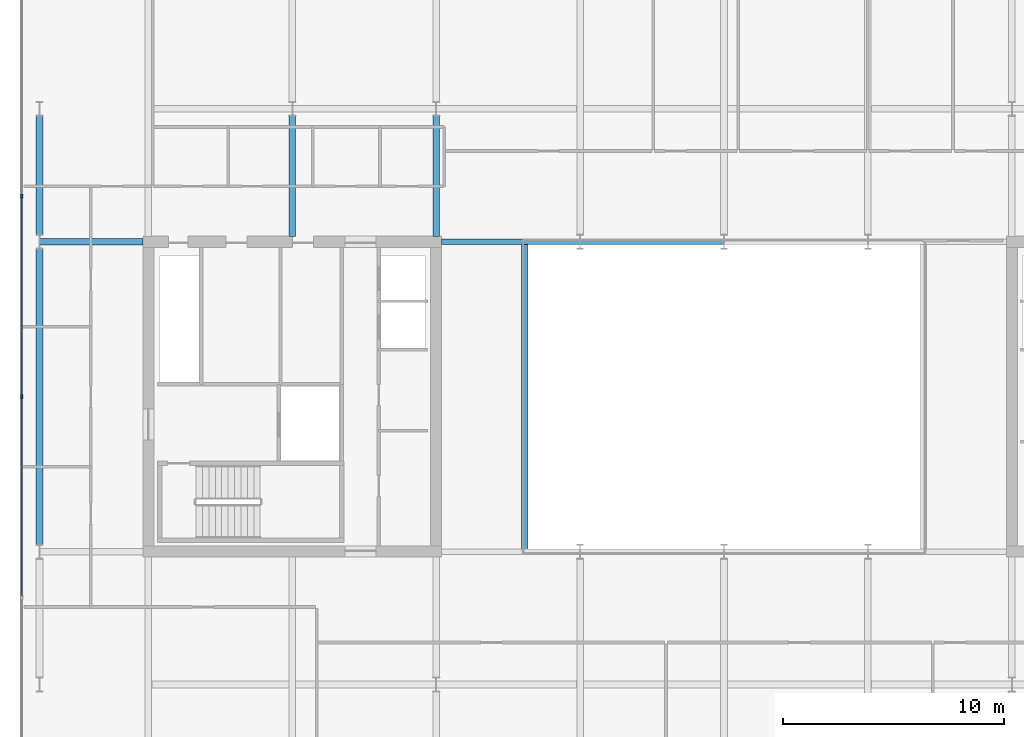
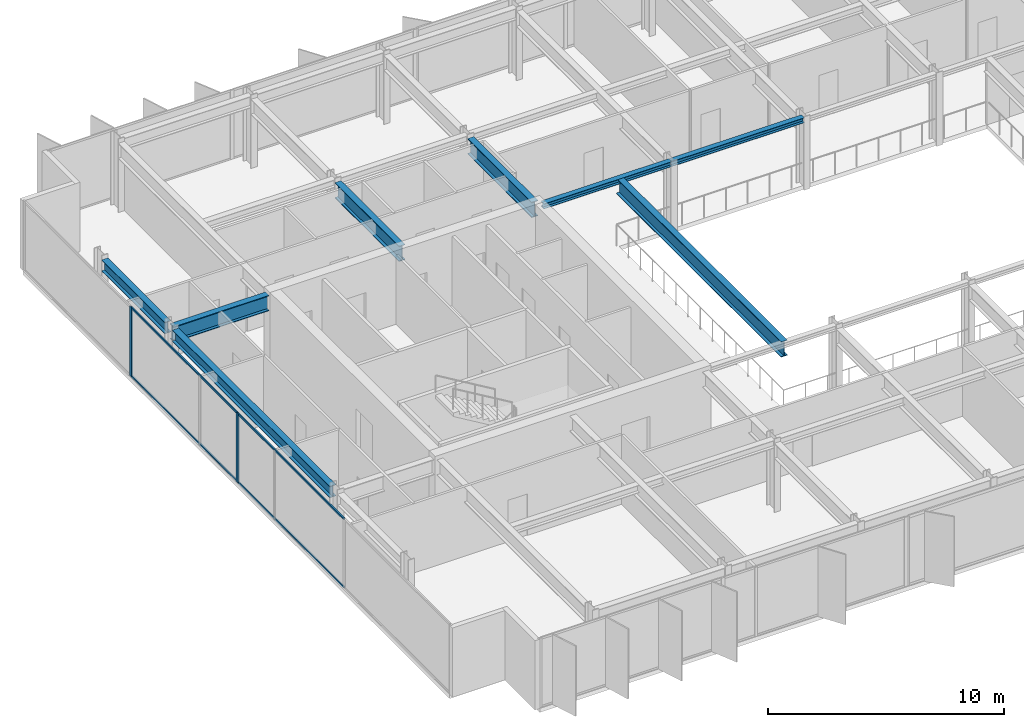
# One storey, part 5 of 19: 8 beams, 6 members, 1 element without a shape of its own.
"""IFC4 building model written with IfcOpenShell, lengths in metres."""

from ifc_helpers import new_model, si_unit, direction, frame, origin, origin_2d, place, context, subcontext, project, spatial, rectangle, i_section, extrude, material, layer, layer_set, material_profile, profile_set, type_object, element, aggregate, save


model = new_model("IFC4")

# Units and contexts
model_context = context("Model", 3, precision=1e-05, world=origin(), true_north=direction((0.0, 1.0)))
body_context = subcontext(model_context, "Body", "Model", "MODEL_VIEW")
ifc_project = project(units=[si_unit("LENGTHUNIT", "METRE"), si_unit("AREAUNIT", "SQUARE_METRE"), si_unit("VOLUMEUNIT", "CUBIC_METRE"), si_unit("PLANEANGLEUNIT", "RADIAN"), si_unit("MASSUNIT", "GRAM", prefix="KILO")], contexts=[model_context])

# Site, building, storey
site_placement = place(None, origin())
site = spatial("IfcSite", under=ifc_project, at=site_placement, CompositionType="ELEMENT")
building_placement = place(site_placement, origin())
building = spatial("IfcBuilding", under=site, at=building_placement, Name="Putna Gate Headquarters", CompositionType="ELEMENT")
storey_placement = place(building_placement, frame((0.0, 0.0, 259.39990234375)))
storey = spatial("IfcBuildingStorey", under=building, at=storey_placement, Name="L65", CompositionType="ELEMENT", Elevation=259.39990234375)

# Beams
ifc_material_1 = material(Name="Steel S355J2", Category="steel")
ifc_material_profile_1 = material_profile(ifc_material_1, i_section(OverallWidth=0.260009765625, OverallDepth=0.260009765625, WebThickness=0.010009765625, FlangeThickness=0.017578125, at=origin_2d()), Name="Steel S355J2")
ifc_profile_set_1 = profile_set([ifc_material_profile_1], Name="Steel S355J2")
beam_type_1 = type_object("IfcBeamType", Name="BM-ATRIUM-HEB260", PredefinedType="BEAM", material=ifc_profile_set_1)
beam_1_placement = place(storey_placement, frame((26.235107421875, 33.0, 3.4580078125), z_axis=(1.0, 0.0, 0.0), x_axis=(0.0, 1.0, 0.0)))
element("IfcBeam", 1, at=beam_1_placement, inside=storey, type_object=beam_type_1, Name="L65 Atrium Edge Beam AN1", PredefinedType="BEAM", context=body_context, shape_type="SweptSolid", body=[
    extrude(i_section(OverallWidth=0.260009765625, OverallDepth=0.260009765625, WebThickness=0.010009765625, FlangeThickness=0.017578125, at=origin_2d()), origin(), (0.0, 0.0, 1.0), 6.2587890625),
])
beam_2_placement = place(storey_placement, frame((32.506103515625, 33.0, 3.4580078125), z_axis=(1.0, 0.0, 0.0), x_axis=(0.0, 1.0, 0.0)))
element("IfcBeam", 2, at=beam_2_placement, inside=storey, type_object=beam_type_1, Name="L65 Atrium Edge Beam AN2", PredefinedType="BEAM", context=body_context, shape_type="SweptSolid", body=[
    extrude(i_section(OverallWidth=0.260009765625, OverallDepth=0.260009765625, WebThickness=0.010009765625, FlangeThickness=0.017578125, at=origin_2d()), origin(), (0.0, 0.0, 1.0), 6.48779296875),
])
ifc_material_profile_2 = material_profile(ifc_material_1, i_section(OverallWidth=0.300048828125, OverallDepth=0.800048828125, WebThickness=0.017578125, FlangeThickness=0.032958984375, at=origin_2d()), Name="Steel S355J2")
ifc_profile_set_2 = profile_set([ifc_material_profile_2], Name="Steel S355J2")
beam_type_2 = type_object("IfcBeamType", Name="BM-GIRD-P-HEB800", PredefinedType="USERDEFINED", material=ifc_profile_set_2)
beam_3_placement = place(storey_placement, frame((8.0859375, 33.0, 3.18798828125), z_axis=(1.0, 0.0, 0.0), x_axis=(0.0, 1.0, 0.0)))
element("IfcBeam", 3, at=beam_3_placement, inside=storey, type_object=beam_type_2, Name="L65 West Wing Girder Y33", ObjectType="GIRDER", PredefinedType="USERDEFINED", context=body_context, shape_type="SweptSolid", body=[
    extrude(i_section(OverallWidth=0.300048828125, OverallDepth=0.800048828125, WebThickness=0.017578125, FlangeThickness=0.032958984375, at=origin_2d()), origin(), (0.0, 0.0, 1.0), 4.678955078125),
])
for number, where, z_axis, x_axis, name in (
    (4, (19.5, 33.235107421875, 3.18798828125), (0.0, 1.0, 0.0), (-1.0, 0.0, 0.0), "L65 North Primary Girder X19-1"),
    (5, (26.0, 33.235107421875, 3.18798828125), (0.0, 1.0, 0.0), (-1.0, 0.0, 0.0), "L65 North Primary Girder X26-1"),
):
    element("IfcBeam", number, at=place(storey_placement, frame(where, z_axis=z_axis, x_axis=x_axis)), inside=storey, type_object=beam_type_2, Name=name, ObjectType="GIRDER", PredefinedType="USERDEFINED", context=body_context, shape_type="SweptSolid", body=[
        extrude(i_section(OverallWidth=0.300048828125, OverallDepth=0.800048828125, WebThickness=0.017578125, FlangeThickness=0.032958984375, at=origin_2d()), origin(), (0.0, 0.0, 1.0), 5.44287109375),
    ])
beam_4_placement = place(storey_placement, frame((30.0, 19.010009765625, 3.18798828125), z_axis=(0.0, 1.0, 0.0), x_axis=(-1.0, 0.0, 0.0)))
element("IfcBeam", 6, at=beam_4_placement, inside=storey, type_object=beam_type_2, Name="L65 Atrium Trim Girder AW", ObjectType="GIRDER", PredefinedType="USERDEFINED", context=body_context, shape_type="SweptSolid", body=[
    extrude(i_section(OverallWidth=0.300048828125, OverallDepth=0.800048828125, WebThickness=0.017578125, FlangeThickness=0.032958984375, at=origin_2d()), origin(), (0.0, 0.0, 1.0), 13.97998046875),
])
ifc_material_profile_3 = material_profile(ifc_material_1, i_section(OverallWidth=0.300048828125, OverallDepth=0.590087890625, WebThickness=0.012939453125, FlangeThickness=0.02490234375, at=origin_2d()), Name="Steel S355J2")
ifc_profile_set_3 = profile_set([ifc_material_profile_3], Name="Steel S355J2")
beam_type_3 = type_object("IfcBeamType", Name="BM-SPAN-Z4-HEA600", PredefinedType="SPANDREL", material=ifc_profile_set_3)
beam_5_placement = place(storey_placement, frame((8.080078125, 19.322021484375, 3.293212890625), z_axis=(0.0, 1.0, 0.0), x_axis=(-1.0, 0.0, 0.0)))
element("IfcBeam", 7, at=beam_5_placement, inside=storey, type_object=beam_type_3, Name="L65 W End Spandrel 2", PredefinedType="SPANDREL", context=body_context, shape_type="SweptSolid", body=[
    extrude(i_section(OverallWidth=0.300048828125, OverallDepth=0.590087890625, WebThickness=0.012939453125, FlangeThickness=0.02490234375, at=origin_2d()), origin(), (0.0, 0.0, 1.0), 13.35595703125),
])
beam_6_placement = place(storey_placement, frame((8.080078125, 33.322021484375, 3.293212890625), z_axis=(0.0, 1.0, 0.0), x_axis=(-1.0, 0.0, 0.0)))
element("IfcBeam", 8, at=beam_6_placement, inside=storey, type_object=beam_type_3, Name="L65 W End Spandrel 3", PredefinedType="SPANDREL", context=body_context, shape_type="SweptSolid", body=[
    extrude(i_section(OverallWidth=0.300048828125, OverallDepth=0.590087890625, WebThickness=0.012939453125, FlangeThickness=0.02490234375, at=origin_2d()), origin(), (0.0, 0.0, 1.0), 5.35595703125),
])

# Curtain wall, members
ifc_material_2 = material(Name="Anodised bronze aluminium curtain wall", Category="aluminium")
ifc_layer = layer(ifc_material_2, 0.179931640625)
ifc_layer_set = layer_set([ifc_layer], Name="Anodised bronze aluminium curtain wall")
curtain_wall_type = type_object("IfcCurtainWallType", Name="CW-SYS-Z5", PredefinedType="USERDEFINED", material=ifc_layer_set)
curtain_wall_placement = place(storey_placement, origin())
curtain_wall = element("IfcCurtainWall", 9, at=curtain_wall_placement, inside=storey, type_object=curtain_wall_type, Name="L65 West Curtain Wall", ObjectType="STICK CURTAIN WALL", PredefinedType="USERDEFINED")
ifc_material_3 = material(Name="Anodised bronze aluminium EN AW-6060", Category="aluminium")
ifc_material_profile_4 = material_profile(ifc_material_3, rectangle(XDim=0.070068359375, YDim=0.179931640625, at=origin_2d()), Name="Anodised bronze aluminium EN AW-6060")
ifc_profile_set_4 = profile_set([ifc_material_profile_4], Name="Anodised bronze aluminium EN AW-6060")
member_type_1 = type_object("IfcMemberType", Name="MULL-CWM-5", PredefinedType="MULLION", material=ifc_profile_set_4)
member_1_placement = place(storey_placement, frame((7.280029296875, 26.0, 0.0), z_axis=(0.0, 0.0, 1.0), x_axis=(-1.0, 0.0, 0.0)))
member_1 = element("IfcMember", 10, at=member_1_placement, type_object=member_type_1, Name="CWS-5 mullion 3", PredefinedType="MULLION", context=body_context, shape_type="SweptSolid", body=[
    extrude(rectangle(XDim=0.070068359375, YDim=0.179931640625, at=origin_2d()), origin(), (0.0, 0.0, 1.0), 3.588134765625),
])
member_2_placement = place(storey_placement, frame((7.280029296875, 35.050048828125, 0.0), z_axis=(0.0, 0.0, 1.0), x_axis=(-1.0, 0.0, 0.0)))
member_2 = element("IfcMember", 11, at=member_2_placement, type_object=member_type_1, Name="CWS-5 mullion 4", PredefinedType="MULLION", context=body_context, shape_type="SweptSolid", body=[
    extrude(rectangle(XDim=0.070068359375, YDim=0.179931640625, at=origin_2d()), origin(), (0.0, 0.0, 1.0), 3.588134765625),
])
ifc_material_profile_5 = material_profile(ifc_material_3, rectangle(XDim=0.06005859375, YDim=0.10009765625, at=origin_2d()), Name="Anodised bronze aluminium EN AW-6060")
ifc_profile_set_5 = profile_set([ifc_material_profile_5], Name="Anodised bronze aluminium EN AW-6060")
member_type_2 = type_object("IfcMemberType", Name="TRAN-CWT-5", PredefinedType="USERDEFINED", material=ifc_profile_set_5)
member_3_placement = place(storey_placement, frame((7.280029296875, 16.985107421875, 0.030029296875), z_axis=(0.0, 1.0, 0.0), x_axis=(-1.0, 0.0, 0.0)))
member_3 = element("IfcMember", 12, at=member_3_placement, type_object=member_type_2, Name="CWS-5 transom 2.1", ObjectType="TRANSOM", PredefinedType="USERDEFINED", context=body_context, shape_type="SweptSolid", body=[
    extrude(rectangle(XDim=0.06005859375, YDim=0.10009765625, at=origin_2d()), origin(), (0.0, 0.0, 1.0), 8.97998046875),
])
member_4_placement = place(storey_placement, frame((7.280029296875, 16.985107421875, 3.55810546875), z_axis=(0.0, 1.0, 0.0), x_axis=(-1.0, 0.0, 0.0)))
member_4 = element("IfcMember", 13, at=member_4_placement, type_object=member_type_2, Name="CWS-5 transom 2.2", ObjectType="TRANSOM", PredefinedType="USERDEFINED", context=body_context, shape_type="SweptSolid", body=[
    extrude(rectangle(XDim=0.06005859375, YDim=0.10009765625, at=origin_2d()), origin(), (0.0, 0.0, 1.0), 8.97998046875),
])
member_5_placement = place(storey_placement, frame((7.280029296875, 26.034912109375, 0.030029296875), z_axis=(0.0, 1.0, 0.0), x_axis=(-1.0, 0.0, 0.0)))
member_5 = element("IfcMember", 14, at=member_5_placement, type_object=member_type_2, Name="CWS-5 transom 3.1", ObjectType="TRANSOM", PredefinedType="USERDEFINED", context=body_context, shape_type="SweptSolid", body=[
    extrude(rectangle(XDim=0.06005859375, YDim=0.10009765625, at=origin_2d()), origin(), (0.0, 0.0, 1.0), 8.97998046875),
])
member_6_placement = place(storey_placement, frame((7.280029296875, 26.034912109375, 3.55810546875), z_axis=(0.0, 1.0, 0.0), x_axis=(-1.0, 0.0, 0.0)))
member_6 = element("IfcMember", 15, at=member_6_placement, type_object=member_type_2, Name="CWS-5 transom 3.2", ObjectType="TRANSOM", PredefinedType="USERDEFINED", context=body_context, shape_type="SweptSolid", body=[
    extrude(rectangle(XDim=0.06005859375, YDim=0.10009765625, at=origin_2d()), origin(), (0.0, 0.0, 1.0), 8.97998046875),
])
aggregate(curtain_wall, [member_1, member_2, member_3, member_4, member_5, member_6])

save(model, "model.ifc")
